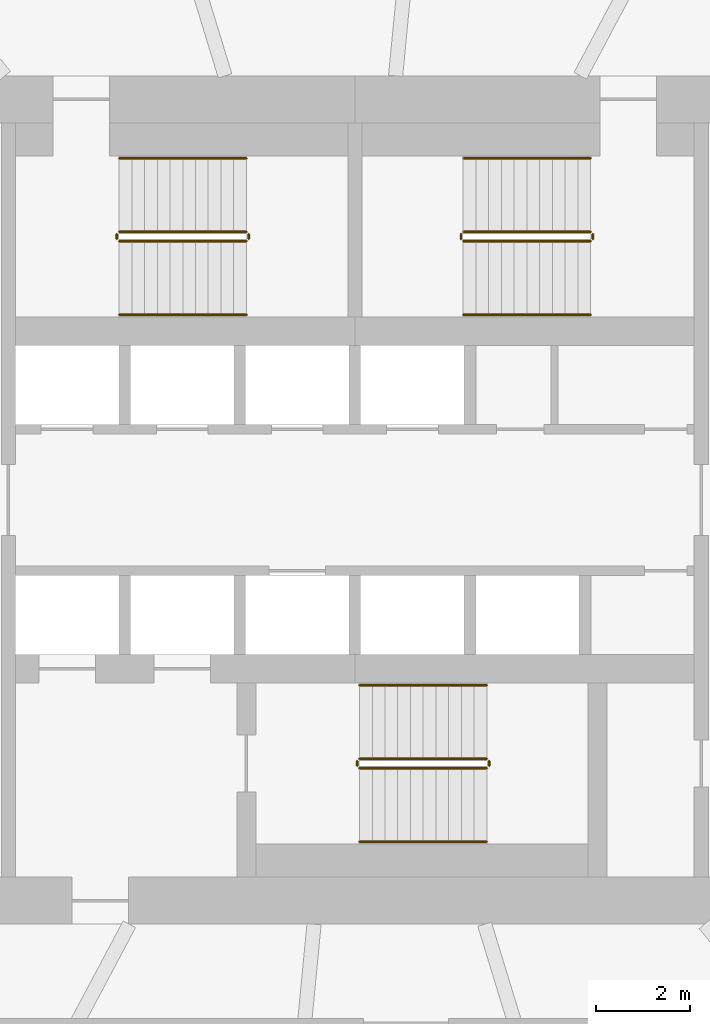
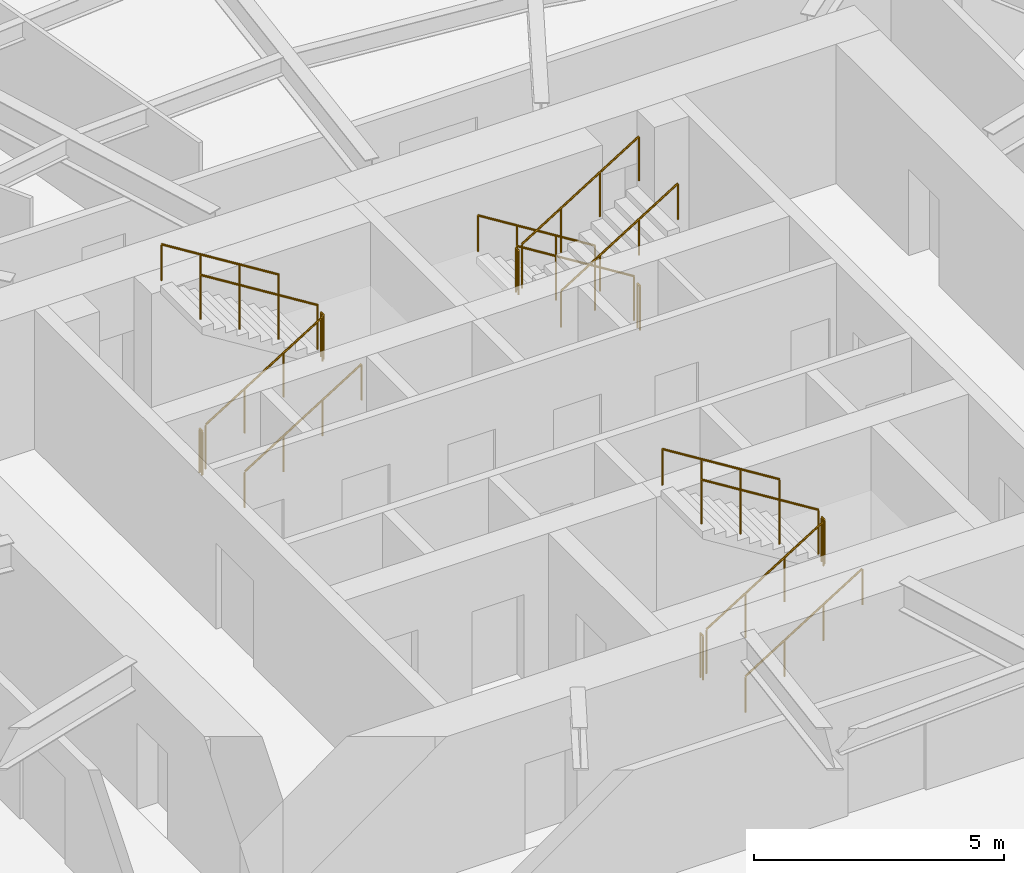
# One storey, part 11 of 11: 18 railings.
"""IFC4 building model written with IfcOpenShell, lengths in metres."""

from ifc_helpers import new_model, si_unit, direction, frame, origin, origin_2d, place, context, subcontext, project, spatial, circle, extrude, material, type_object, element, save


model = new_model("IFC4")

# Units and contexts
model_context = context("Model", 3, precision=1e-05, world=origin(), true_north=direction((0.0, 1.0)))
body_context = subcontext(model_context, "Body", "Model", "MODEL_VIEW")
ifc_project = project(units=[si_unit("LENGTHUNIT", "METRE"), si_unit("AREAUNIT", "SQUARE_METRE"), si_unit("VOLUMEUNIT", "CUBIC_METRE"), si_unit("PLANEANGLEUNIT", "RADIAN"), si_unit("MASSUNIT", "GRAM", prefix="KILO")], contexts=[model_context])

# Site, building, storey
site_placement = place(None, origin())
site = spatial("IfcSite", under=ifc_project, at=site_placement, CompositionType="ELEMENT")
building_placement = place(site_placement, origin())
building = spatial("IfcBuilding", under=site, at=building_placement, Name="Vermilion Reach Broadcast Tower", CompositionType="ELEMENT")
storey_placement = place(building_placement, frame((0.0, 0.0, 36.0)))
storey = spatial("IfcBuildingStorey", under=building, at=storey_placement, Name="L05", CompositionType="ELEMENT", Elevation=36.0)

# Railings
ifc_material_1 = material(Name="Stainless steel", Category="steel")
railing_type_1 = type_object("IfcRailingType", Name="Stair guard 1100", PredefinedType="GUARDRAIL", material=ifc_material_1)
railing_1_placement = place(storey_placement, frame((-11.0, 5.489990234375, 0.168212890625)))
element("IfcRailing", 1, at=railing_1_placement, inside=storey, type_object=railing_type_1, Name="L05 ST1 stair guard 1", PredefinedType="GUARDRAIL", context=body_context, shape_type="SweptSolid", body=[
    extrude(circle(Radius=0.02392578125, at=origin_2d()), frame((0.0, 0.0, 1.076171875), z_axis=(0.848786430784, 0.0, 0.528735846068), x_axis=(0.0, 1.0, 0.0)), (0.0, 0.0, 1.0), 3.180908203125),
    extrude(circle(Radius=0.02099609375, at=origin_2d()), origin(), (0.0, 0.0, 1.0), 1.052001953125),
    extrude(circle(Radius=0.02099609375, at=origin_2d()), frame((0.89990234375, 0.0, 0.560546875)), (0.0, 0.0, 1.0), 1.052001953125),
    extrude(circle(Radius=0.02099609375, at=origin_2d()), frame((1.800048828125, 0.0, 1.121337890625)), (0.0, 0.0, 1.0), 1.052001953125),
    extrude(circle(Radius=0.02099609375, at=origin_2d()), frame((2.699951171875, 0.0, 1.681884765625)), (0.0, 0.0, 1.0), 1.052001953125),
])
railing_2_placement = place(storey_placement, frame((-8.25, 5.5400390625, 1.85009765625)))
element("IfcRailing", 2, at=railing_2_placement, inside=storey, type_object=railing_type_1, Name="L05 ST1 stair guard 2", PredefinedType="GUARDRAIL", context=body_context, shape_type="SweptSolid", body=[
    extrude(circle(Radius=0.02392578125, at=origin_2d()), frame((0.0, 0.0, 1.076171875), z_axis=(0.0, 1.0, 0.0), x_axis=(-1.0, 0.0, 0.0)), (0.0, 0.0, 1.0), 0.099853515625),
    extrude(circle(Radius=0.02099609375, at=origin_2d()), origin(), (0.0, 0.0, 1.0), 1.052001953125),
    extrude(circle(Radius=0.02099609375, at=origin_2d()), frame((0.0, 0.099853515625, 0.0)), (0.0, 0.0, 1.0), 1.052001953125),
])
railing_3_placement = place(storey_placement, frame((-8.300048828125, 5.68994140625, 2.01806640625)))
element("IfcRailing", 3, at=railing_3_placement, inside=storey, type_object=railing_type_1, Name="L05 ST1 stair guard 3", PredefinedType="GUARDRAIL", context=body_context, shape_type="SweptSolid", body=[
    extrude(circle(Radius=0.02392578125, at=origin_2d()), frame((0.0, 0.0, 1.076171875), z_axis=(-0.848786430784, 0.0, 0.528735846068), x_axis=(0.0, -1.0, 0.0)), (0.0, 0.0, 1.0), 3.180908203125),
    extrude(circle(Radius=0.02099609375, at=origin_2d()), origin(), (0.0, 0.0, 1.0), 1.052001953125),
    extrude(circle(Radius=0.02099609375, at=origin_2d()), frame((-0.89990234375, 0.0, 0.560546875)), (0.0, 0.0, 1.0), 1.052001953125),
    extrude(circle(Radius=0.02099609375, at=origin_2d()), frame((-1.800048828125, 0.0, 1.121337890625)), (0.0, 0.0, 1.0), 1.052001953125),
    extrude(circle(Radius=0.02099609375, at=origin_2d()), frame((-2.699951171875, 0.0, 1.681884765625)), (0.0, 0.0, 1.0), 1.052001953125),
])
railing_4_placement = place(storey_placement, frame((-11.050048828125, 5.5400390625, 0.0)))
element("IfcRailing", 4, at=railing_4_placement, inside=storey, type_object=railing_type_1, Name="L05 ST1 stair guard 4", PredefinedType="GUARDRAIL", context=body_context, shape_type="SweptSolid", body=[
    extrude(circle(Radius=0.02392578125, at=origin_2d()), frame((0.0, 0.0, 1.076171875), z_axis=(0.0, 1.0, 0.0), x_axis=(-1.0, 0.0, 0.0)), (0.0, 0.0, 1.0), 0.099853515625),
    extrude(circle(Radius=0.02099609375, at=origin_2d()), origin(), (0.0, 0.0, 1.0), 1.052001953125),
    extrude(circle(Radius=0.02099609375, at=origin_2d()), frame((0.0, 0.099853515625, 0.0)), (0.0, 0.0, 1.0), 1.052001953125),
])
railing_5_placement = place(storey_placement, frame((-1.0, 5.68994140625, 0.168212890625)))
element("IfcRailing", 5, at=railing_5_placement, inside=storey, type_object=railing_type_1, Name="L05 ST2 stair guard 1", PredefinedType="GUARDRAIL", context=body_context, shape_type="SweptSolid", body=[
    extrude(circle(Radius=0.02392578125, at=origin_2d()), frame((0.0, 0.0, 1.076171875), z_axis=(-0.848786430784, 0.0, 0.528735846068), x_axis=(0.0, -1.0, 0.0)), (0.0, 0.0, 1.0), 3.180908203125),
    extrude(circle(Radius=0.02099609375, at=origin_2d()), origin(), (0.0, 0.0, 1.0), 1.052001953125),
    extrude(circle(Radius=0.02099609375, at=origin_2d()), frame((-0.89990234375, 0.0, 0.560546875)), (0.0, 0.0, 1.0), 1.052001953125),
    extrude(circle(Radius=0.02099609375, at=origin_2d()), frame((-1.800048828125, 0.0, 1.121337890625)), (0.0, 0.0, 1.0), 1.052001953125),
    extrude(circle(Radius=0.02099609375, at=origin_2d()), frame((-2.699951171875, 0.0, 1.681884765625)), (0.0, 0.0, 1.0), 1.052001953125),
])
railing_6_placement = place(storey_placement, frame((-3.75, 5.639892578125, 1.85009765625)))
element("IfcRailing", 6, at=railing_6_placement, inside=storey, type_object=railing_type_1, Name="L05 ST2 stair guard 2", PredefinedType="GUARDRAIL", context=body_context, shape_type="SweptSolid", body=[
    extrude(circle(Radius=0.02392578125, at=origin_2d()), frame((0.0, 0.0, 1.076171875), z_axis=(0.0, -1.0, 0.0), x_axis=(1.0, 0.0, 0.0)), (0.0, 0.0, 1.0), 0.099853515625),
    extrude(circle(Radius=0.02099609375, at=origin_2d()), origin(), (0.0, 0.0, 1.0), 1.052001953125),
    extrude(circle(Radius=0.02099609375, at=origin_2d()), frame((0.0, -0.099853515625, 0.0)), (0.0, 0.0, 1.0), 1.052001953125),
])
railing_7_placement = place(storey_placement, frame((-3.699951171875, 5.489990234375, 2.01806640625)))
element("IfcRailing", 7, at=railing_7_placement, inside=storey, type_object=railing_type_1, Name="L05 ST2 stair guard 3", PredefinedType="GUARDRAIL", context=body_context, shape_type="SweptSolid", body=[
    extrude(circle(Radius=0.02392578125, at=origin_2d()), frame((0.0, 0.0, 1.076171875), z_axis=(0.848786430784, 0.0, 0.528735846068), x_axis=(0.0, 1.0, 0.0)), (0.0, 0.0, 1.0), 3.180908203125),
    extrude(circle(Radius=0.02099609375, at=origin_2d()), origin(), (0.0, 0.0, 1.0), 1.052001953125),
    extrude(circle(Radius=0.02099609375, at=origin_2d()), frame((0.89990234375, 0.0, 0.560546875)), (0.0, 0.0, 1.0), 1.052001953125),
    extrude(circle(Radius=0.02099609375, at=origin_2d()), frame((1.800048828125, 0.0, 1.121337890625)), (0.0, 0.0, 1.0), 1.052001953125),
    extrude(circle(Radius=0.02099609375, at=origin_2d()), frame((2.699951171875, 0.0, 1.681884765625)), (0.0, 0.0, 1.0), 1.052001953125),
])
railing_8_placement = place(storey_placement, frame((-0.949951171875, 5.639892578125, 0.0)))
element("IfcRailing", 8, at=railing_8_placement, inside=storey, type_object=railing_type_1, Name="L05 ST2 stair guard 4", PredefinedType="GUARDRAIL", context=body_context, shape_type="SweptSolid", body=[
    extrude(circle(Radius=0.02392578125, at=origin_2d()), frame((0.0, 0.0, 1.076171875), z_axis=(0.0, -1.0, 0.0), x_axis=(1.0, 0.0, 0.0)), (0.0, 0.0, 1.0), 0.099853515625),
    extrude(circle(Radius=0.02099609375, at=origin_2d()), origin(), (0.0, 0.0, 1.0), 1.052001953125),
    extrude(circle(Radius=0.02099609375, at=origin_2d()), frame((0.0, -0.099853515625, 0.0)), (0.0, 0.0, 1.0), 1.052001953125),
])
railing_9_placement = place(storey_placement, frame((-5.89990234375, -5.68994140625, 0.168212890625)))
element("IfcRailing", 9, at=railing_9_placement, inside=storey, type_object=railing_type_1, Name="L05 ST3 stair guard 1", PredefinedType="GUARDRAIL", context=body_context, shape_type="SweptSolid", body=[
    extrude(circle(Radius=0.02392578125, at=origin_2d()), frame((0.0, 0.0, 1.076171875), z_axis=(0.848786430784, 0.0, 0.528735846068), x_axis=(0.0, 1.0, 0.0)), (0.0, 0.0, 1.0), 3.180908203125),
    extrude(circle(Radius=0.02099609375, at=origin_2d()), origin(), (0.0, 0.0, 1.0), 1.052001953125),
    extrude(circle(Radius=0.02099609375, at=origin_2d()), frame((0.89990234375, 0.0, 0.560546875)), (0.0, 0.0, 1.0), 1.052001953125),
    extrude(circle(Radius=0.02099609375, at=origin_2d()), frame((1.800048828125, 0.0, 1.121337890625)), (0.0, 0.0, 1.0), 1.052001953125),
    extrude(circle(Radius=0.02099609375, at=origin_2d()), frame((2.699951171875, 0.0, 1.681884765625)), (0.0, 0.0, 1.0), 1.052001953125),
])
railing_10_placement = place(storey_placement, frame((-3.14990234375, -5.639892578125, 1.85009765625)))
element("IfcRailing", 10, at=railing_10_placement, inside=storey, type_object=railing_type_1, Name="L05 ST3 stair guard 2", PredefinedType="GUARDRAIL", context=body_context, shape_type="SweptSolid", body=[
    extrude(circle(Radius=0.02392578125, at=origin_2d()), frame((0.0, 0.0, 1.076171875), z_axis=(0.0, 1.0, 0.0), x_axis=(-1.0, 0.0, 0.0)), (0.0, 0.0, 1.0), 0.099853515625),
    extrude(circle(Radius=0.02099609375, at=origin_2d()), origin(), (0.0, 0.0, 1.0), 1.052001953125),
    extrude(circle(Radius=0.02099609375, at=origin_2d()), frame((0.0, 0.099853515625, 0.0)), (0.0, 0.0, 1.0), 1.052001953125),
])
railing_11_placement = place(storey_placement, frame((-3.199951171875, -5.489990234375, 2.01806640625)))
element("IfcRailing", 11, at=railing_11_placement, inside=storey, type_object=railing_type_1, Name="L05 ST3 stair guard 3", PredefinedType="GUARDRAIL", context=body_context, shape_type="SweptSolid", body=[
    extrude(circle(Radius=0.02392578125, at=origin_2d()), frame((0.0, 0.0, 1.076171875), z_axis=(-0.848786430784, 0.0, 0.528735846068), x_axis=(0.0, -1.0, 0.0)), (0.0, 0.0, 1.0), 3.180908203125),
    extrude(circle(Radius=0.02099609375, at=origin_2d()), origin(), (0.0, 0.0, 1.0), 1.052001953125),
    extrude(circle(Radius=0.02099609375, at=origin_2d()), frame((-0.89990234375, 0.0, 0.560546875)), (0.0, 0.0, 1.0), 1.052001953125),
    extrude(circle(Radius=0.02099609375, at=origin_2d()), frame((-1.800048828125, 0.0, 1.121337890625)), (0.0, 0.0, 1.0), 1.052001953125),
    extrude(circle(Radius=0.02099609375, at=origin_2d()), frame((-2.699951171875, 0.0, 1.681884765625)), (0.0, 0.0, 1.0), 1.052001953125),
])
railing_12_placement = place(storey_placement, frame((-5.949951171875, -5.639892578125, 0.0)))
element("IfcRailing", 12, at=railing_12_placement, inside=storey, type_object=railing_type_1, Name="L05 ST3 stair guard 4", PredefinedType="GUARDRAIL", context=body_context, shape_type="SweptSolid", body=[
    extrude(circle(Radius=0.02392578125, at=origin_2d()), frame((0.0, 0.0, 1.076171875), z_axis=(0.0, 1.0, 0.0), x_axis=(-1.0, 0.0, 0.0)), (0.0, 0.0, 1.0), 0.099853515625),
    extrude(circle(Radius=0.02099609375, at=origin_2d()), origin(), (0.0, 0.0, 1.0), 1.052001953125),
    extrude(circle(Radius=0.02099609375, at=origin_2d()), frame((0.0, 0.099853515625, 0.0)), (0.0, 0.0, 1.0), 1.052001953125),
])
ifc_material_2 = material(Name="Stainless steel", Category="steel")
railing_type_2 = type_object("IfcRailingType", Name="Stair handrail", PredefinedType="HANDRAIL", material=ifc_material_2)
railing_13_placement = place(storey_placement, frame((-11.0, 3.929931640625, 0.168212890625)))
element("IfcRailing", 13, at=railing_13_placement, inside=storey, type_object=railing_type_2, Name="L05 ST1 stair handrail 1", PredefinedType="HANDRAIL", context=body_context, shape_type="SweptSolid", body=[
    extrude(circle(Radius=0.02392578125, at=origin_2d()), frame((0.0, 0.0, 0.8759765625), z_axis=(0.848786430784, 0.0, 0.528735846068), x_axis=(0.0, 1.0, 0.0)), (0.0, 0.0, 1.0), 3.180908203125),
    extrude(circle(Radius=0.02099609375, at=origin_2d()), origin(), (0.0, 0.0, 1.0), 0.851806640625),
    extrude(circle(Radius=0.02099609375, at=origin_2d()), frame((0.89990234375, 0.0, 0.560546875)), (0.0, 0.0, 1.0), 0.851806640625),
    extrude(circle(Radius=0.02099609375, at=origin_2d()), frame((1.800048828125, 0.0, 1.121337890625)), (0.0, 0.0, 1.0), 0.851806640625),
    extrude(circle(Radius=0.02099609375, at=origin_2d()), frame((2.699951171875, 0.0, 1.681884765625)), (0.0, 0.0, 1.0), 0.851806640625),
])
for number, where, name in (
    (14, (-8.300048828125, 7.25, 2.01806640625), "L05 ST1 stair handrail 2"),
    (15, (-1.0, 7.25, 0.168212890625), "L05 ST2 stair handrail 1"),
):
    element("IfcRailing", number, at=place(storey_placement, frame(where)), inside=storey, type_object=railing_type_2, Name=name, PredefinedType="HANDRAIL", context=body_context, shape_type="SweptSolid", body=[
        extrude(circle(Radius=0.02392578125, at=origin_2d()), frame((0.0, 0.0, 0.8759765625), z_axis=(-0.848786430784, 0.0, 0.528735846068), x_axis=(0.0, -1.0, 0.0)), (0.0, 0.0, 1.0), 3.180908203125),
        extrude(circle(Radius=0.02099609375, at=origin_2d()), origin(), (0.0, 0.0, 1.0), 0.851806640625),
        extrude(circle(Radius=0.02099609375, at=origin_2d()), frame((-0.89990234375, 0.0, 0.560546875)), (0.0, 0.0, 1.0), 0.851806640625),
        extrude(circle(Radius=0.02099609375, at=origin_2d()), frame((-1.800048828125, 0.0, 1.121337890625)), (0.0, 0.0, 1.0), 0.851806640625),
        extrude(circle(Radius=0.02099609375, at=origin_2d()), frame((-2.699951171875, 0.0, 1.681884765625)), (0.0, 0.0, 1.0), 0.851806640625),
    ])
for number, where, name in (
    (16, (-3.699951171875, 3.929931640625, 2.01806640625), "L05 ST2 stair handrail 2"),
    (17, (-5.89990234375, -7.25, 0.168212890625), "L05 ST3 stair handrail 1"),
):
    element("IfcRailing", number, at=place(storey_placement, frame(where)), inside=storey, type_object=railing_type_2, Name=name, PredefinedType="HANDRAIL", context=body_context, shape_type="SweptSolid", body=[
        extrude(circle(Radius=0.02392578125, at=origin_2d()), frame((0.0, 0.0, 0.8759765625), z_axis=(0.848786430784, 0.0, 0.528735846068), x_axis=(0.0, 1.0, 0.0)), (0.0, 0.0, 1.0), 3.180908203125),
        extrude(circle(Radius=0.02099609375, at=origin_2d()), origin(), (0.0, 0.0, 1.0), 0.851806640625),
        extrude(circle(Radius=0.02099609375, at=origin_2d()), frame((0.89990234375, 0.0, 0.560546875)), (0.0, 0.0, 1.0), 0.851806640625),
        extrude(circle(Radius=0.02099609375, at=origin_2d()), frame((1.800048828125, 0.0, 1.121337890625)), (0.0, 0.0, 1.0), 0.851806640625),
        extrude(circle(Radius=0.02099609375, at=origin_2d()), frame((2.699951171875, 0.0, 1.681884765625)), (0.0, 0.0, 1.0), 0.851806640625),
    ])
railing_14_placement = place(storey_placement, frame((-3.199951171875, -3.929931640625, 2.01806640625)))
element("IfcRailing", 18, at=railing_14_placement, inside=storey, type_object=railing_type_2, Name="L05 ST3 stair handrail 2", PredefinedType="HANDRAIL", context=body_context, shape_type="SweptSolid", body=[
    extrude(circle(Radius=0.02392578125, at=origin_2d()), frame((0.0, 0.0, 0.8759765625), z_axis=(-0.848786430784, 0.0, 0.528735846068), x_axis=(0.0, -1.0, 0.0)), (0.0, 0.0, 1.0), 3.180908203125),
    extrude(circle(Radius=0.02099609375, at=origin_2d()), origin(), (0.0, 0.0, 1.0), 0.851806640625),
    extrude(circle(Radius=0.02099609375, at=origin_2d()), frame((-0.89990234375, 0.0, 0.560546875)), (0.0, 0.0, 1.0), 0.851806640625),
    extrude(circle(Radius=0.02099609375, at=origin_2d()), frame((-1.800048828125, 0.0, 1.121337890625)), (0.0, 0.0, 1.0), 0.851806640625),
    extrude(circle(Radius=0.02099609375, at=origin_2d()), frame((-2.699951171875, 0.0, 1.681884765625)), (0.0, 0.0, 1.0), 0.851806640625),
])

save(model, "model.ifc")
